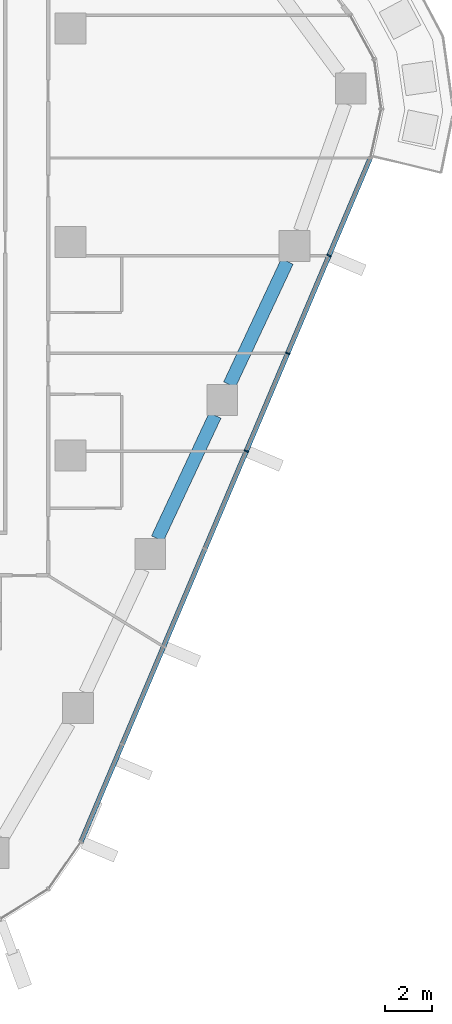
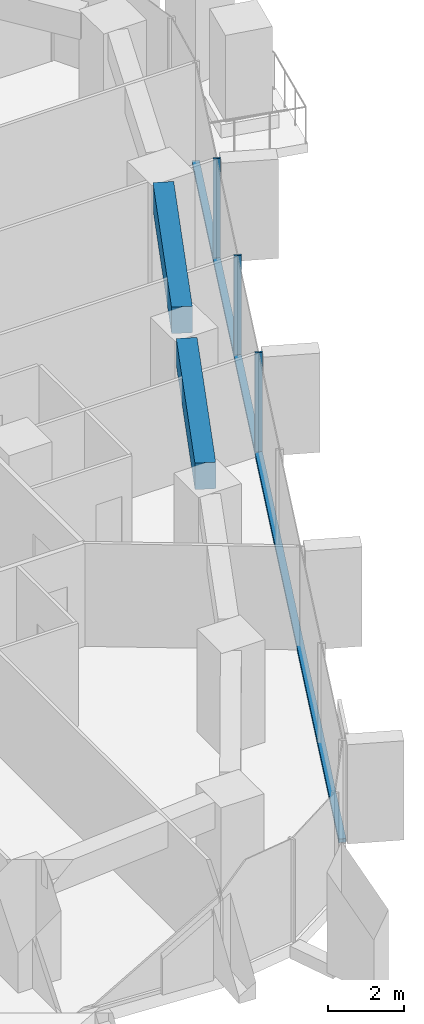
# One storey, part 5 of 24: 4 members, 2 beams, 1 element without a shape of its own.
"""IFC4 building model written with IfcOpenShell, lengths in metres."""

from ifc_helpers import new_model, si_unit, direction, frame, origin, origin_2d, place, context, subcontext, project, spatial, rectangle, extrude, material, layer, layer_set, material_profile, profile_set, type_object, element, aggregate, save


model = new_model("IFC4")

# Units and contexts
model_context = context("Model", 3, precision=1e-05, world=origin(), true_north=direction((0.0, 1.0)))
body_context = subcontext(model_context, "Body", "Model", "MODEL_VIEW")
ifc_project = project(units=[si_unit("LENGTHUNIT", "METRE"), si_unit("AREAUNIT", "SQUARE_METRE"), si_unit("VOLUMEUNIT", "CUBIC_METRE"), si_unit("PLANEANGLEUNIT", "RADIAN"), si_unit("MASSUNIT", "GRAM", prefix="KILO")], contexts=[model_context])

# Site, building, storey
site_placement = place(None, origin())
site = spatial("IfcSite", under=ifc_project, at=site_placement, CompositionType="ELEMENT")
building_placement = place(site_placement, origin())
building = spatial("IfcBuilding", under=site, at=building_placement, Name="Dongbaek Canopy Tower", CompositionType="ELEMENT")
storey_placement = place(building_placement, frame((0.0, 0.0, 117.39990234375)))
storey = spatial("IfcBuildingStorey", under=building, at=storey_placement, Name="L25", CompositionType="ELEMENT", Elevation=117.39990234375)

# Curtain wall, members
ifc_material_1 = material(Name="Aluminium 6063-T6 pale anodised", Category="aluminium")
ifc_layer = layer(ifc_material_1, 0.199951171875)
ifc_layer_set = layer_set([ifc_layer], Name="CW-1 unitised tower curtain wall")
curtain_wall_type = type_object("IfcCurtainWallType", Name="CW-1 unitised tower curtain wall", PredefinedType="NOTDEFINED", material=ifc_layer_set)
curtain_wall_placement = place(storey_placement, origin())
curtain_wall = element("IfcCurtainWall", 1, at=curtain_wall_placement, inside=storey, type_object=curtain_wall_type, Name="CW-1 curtain wall F5.1", PredefinedType="NOTDEFINED")
ifc_material_2 = material(Name="Aluminium 6063-T6 pale anodised", Category="aluminium")
ifc_material_profile_1 = material_profile(ifc_material_2, rectangle(XDim=0.199951171875, YDim=0.06005859375, at=origin_2d()), Name="CW-1 mullion 60 x 200")
ifc_profile_set_1 = profile_set([ifc_material_profile_1], Name="Aluminium 6063-T6 pale anodised")
member_type_1 = type_object("IfcMemberType", Name="CW-1 mullion 60 x 200", PredefinedType="MULLION", material=ifc_profile_set_1)
member_1_placement = place(storey_placement, frame((25.40625, -8.809814453125, 0.1201171875), z_axis=(0.0, 0.0, 1.0), x_axis=(0.920957724744, -0.389662506836, 0.0)))
member_1 = element("IfcMember", 2, at=member_1_placement, type_object=member_type_1, Name="CW-1 mullion F5.1.5", PredefinedType="MULLION", context=body_context, shape_type="SweptSolid", body=[
    extrude(rectangle(XDim=0.199951171875, YDim=0.06005859375, at=origin_2d()), origin(), (0.0, 0.0, 1.0), 3.179931640625),
])
member_2_placement = place(storey_placement, frame((27.14990234375, -4.688720703125, 0.1201171875), z_axis=(0.0, 0.0, 1.0), x_axis=(0.920957724744, -0.389662506836, 0.0)))
member_2 = element("IfcMember", 3, at=member_2_placement, type_object=member_type_1, Name="CW-1 mullion F5.1.6", PredefinedType="MULLION", context=body_context, shape_type="SweptSolid", body=[
    extrude(rectangle(XDim=0.199951171875, YDim=0.06005859375, at=origin_2d()), origin(), (0.0, 0.0, 1.0), 3.179931640625),
])
member_3_placement = place(storey_placement, frame((28.8935546875, -0.56787109375, 0.1201171875), z_axis=(0.0, 0.0, 1.0), x_axis=(0.920957724744, -0.389662506836, 0.0)))
member_3 = element("IfcMember", 4, at=member_3_placement, type_object=member_type_1, Name="CW-1 mullion F5.1.7", PredefinedType="MULLION", context=body_context, shape_type="SweptSolid", body=[
    extrude(rectangle(XDim=0.199951171875, YDim=0.06005859375, at=origin_2d()), origin(), (0.0, 0.0, 1.0), 3.179931640625),
])
ifc_material_3 = material(Name="Aluminium 6063-T6 pale anodised", Category="aluminium")
ifc_material_profile_2 = material_profile(ifc_material_3, rectangle(XDim=0.199951171875, YDim=0.1201171875, at=origin_2d()), Name="CW-1 transom 120 x 200")
ifc_profile_set_2 = profile_set([ifc_material_profile_2], Name="Aluminium 6063-T6 pale anodised")
member_type_2 = type_object("IfcMemberType", Name="CW-1 transom 120 x 200", PredefinedType="USERDEFINED", material=ifc_profile_set_2)
member_4_placement = place(storey_placement, frame((18.435791015625, -25.2841796875, 0.06005859375), z_axis=(0.389665179174, 0.920956594058, 0.0), x_axis=(-0.920956594058, 0.389665179174, 0.0)))
member_4 = element("IfcMember", 5, at=member_4_placement, type_object=member_type_2, Name="CW-1 transom F5.1.1", ObjectType="TRANSOM", PredefinedType="USERDEFINED", context=body_context, shape_type="SweptSolid", body=[
    extrude(rectangle(XDim=0.199951171875, YDim=0.1201171875, at=origin_2d()), origin(), (0.0, 0.0, 1.0), 31.30322265625),
])
aggregate(curtain_wall, [member_1, member_2, member_3, member_4])

# Beams
ifc_material_4 = material(Name="Concrete C80", Category="concrete")
ifc_material_profile_3 = material_profile(ifc_material_4, rectangle(XDim=0.550048828125, YDim=0.85009765625, at=origin_2d()), Name="RC EDGE BEAM 550x850 C80")
ifc_profile_set_3 = profile_set([ifc_material_profile_3], Name="Concrete C80")
beam_type = type_object("IfcBeamType", Name="RC EDGE BEAM 550x850 C80", PredefinedType="BEAM", material=ifc_profile_set_3)
beam_1_placement = place(storey_placement, frame((27.131591796875, -0.81494140625, 2.875), z_axis=(-0.424053070164, -0.90563734115, 0.0), x_axis=(0.90563734115, -0.424053070164, 0.0)))
element("IfcBeam", 6, at=beam_1_placement, inside=storey, type_object=beam_type, Name="EDGEBEAM:L25:22", PredefinedType="BEAM", context=body_context, shape_type="SweptSolid", body=[
    extrude(rectangle(XDim=0.550048828125, YDim=0.85009765625, at=origin_2d()), origin(), (0.0, 0.0, 1.0), 5.733154296875),
])
beam_2_placement = place(storey_placement, frame((24.091796875, -7.306884765625, 2.875), z_axis=(-0.424022586017, -0.905651614335, 0.0), x_axis=(0.905651614335, -0.424022586017, 0.0)))
element("IfcBeam", 7, at=beam_2_placement, inside=storey, type_object=beam_type, Name="EDGEBEAM:L25:23", PredefinedType="BEAM", context=body_context, shape_type="SweptSolid", body=[
    extrude(rectangle(XDim=0.550048828125, YDim=0.85009765625, at=origin_2d()), origin(), (0.0, 0.0, 1.0), 5.734130859375),
])

save(model, "model.ifc")
